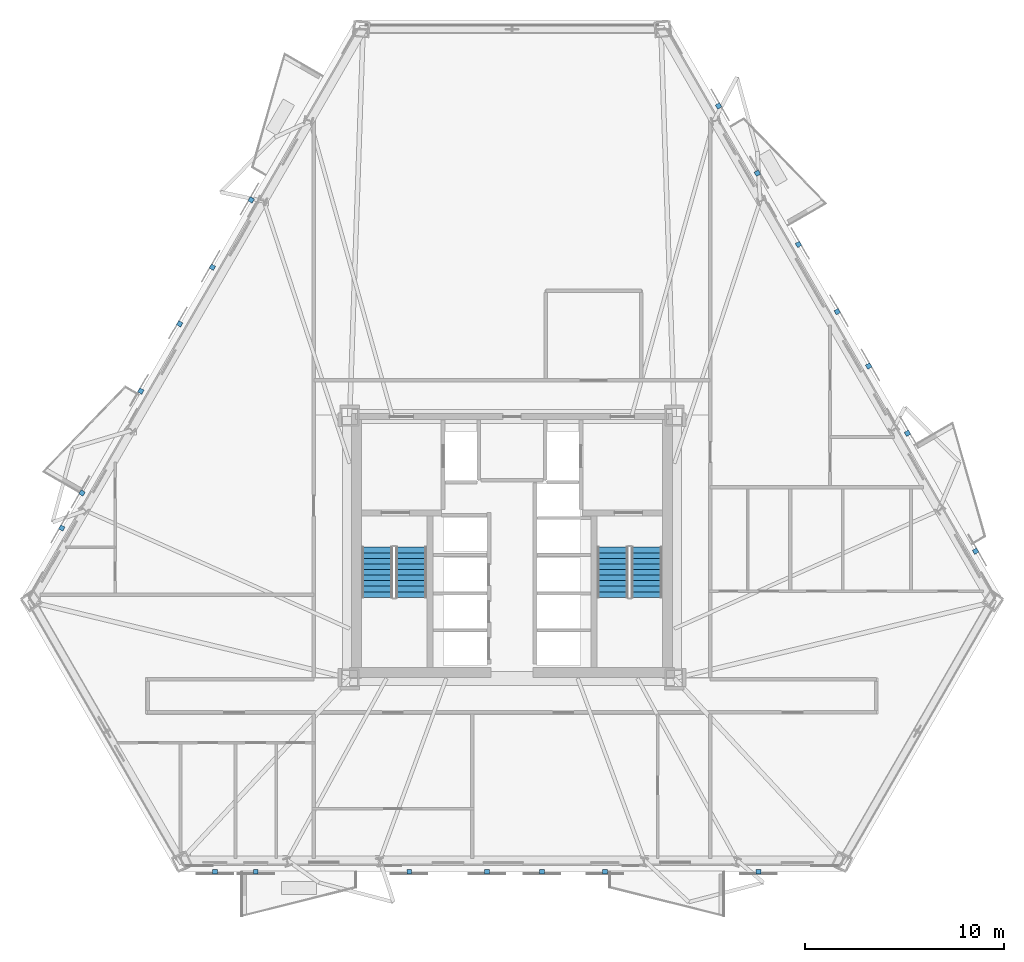
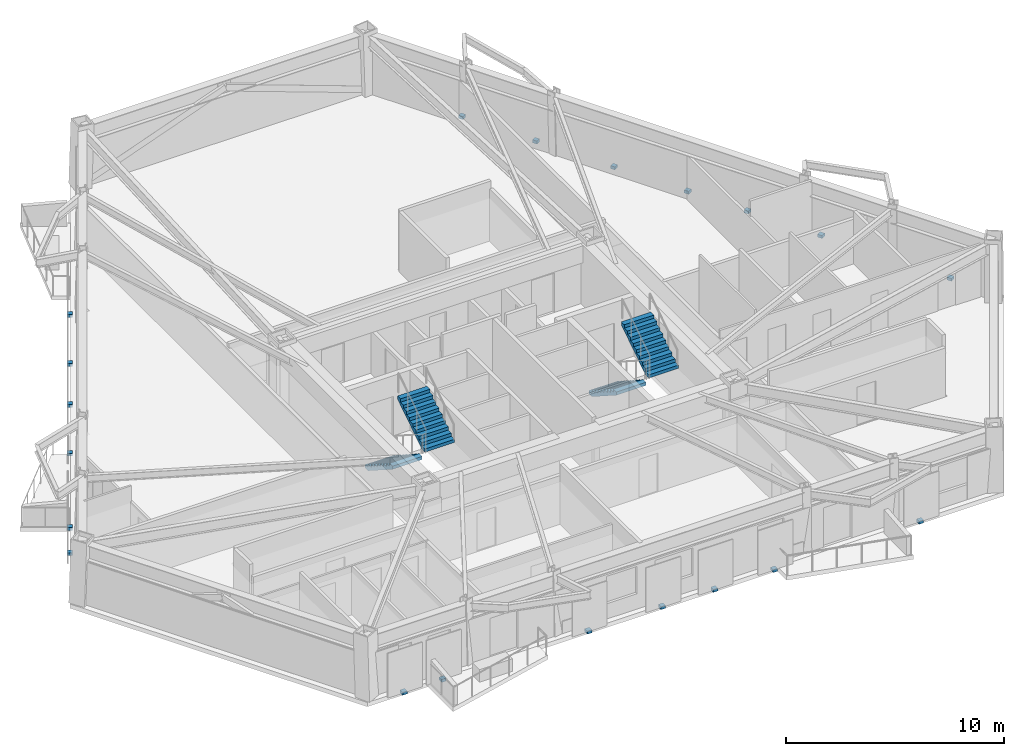
# One storey, part 6 of 13: 20 discrete accessories, 4 stair flights, 2 elements without a shape of their own.
"""IFC4 building model written with IfcOpenShell, lengths in metres."""

import ifcopenshell
import ifcopenshell.guid

model = None  # the IFC model being written
_history = None  # IfcOwnerHistory: only IFC2X3 demands one
_inside = {}  # id of a spatial element -> (the spatial element, [elements in it])
_under = {}  # id of a project, library or spatial element -> (it, [spatial elements below it])
_declared = {}  # id of a project -> (the project, [libraries it declares])
_typed = {}  # id of a type object -> (the type object, [elements of that type])
_made_of = {}  # id of a material, layer set ... -> (it, [elements and type objects made of it])


def new_model(schema):
    """Start an empty IFC model of exactly this schema.

    Asked for "IFC4X3", IfcOpenShell would pick the latest addendum, in which some entities
    have other attributes; the version numbers below select the first issue.
    IFC2X3 requires an IfcOwnerHistory on every rooted entity: one is made here for all.
    """
    global model, _history
    if schema == "IFC4X3":
        model = ifcopenshell.file(schema_version=(4, 3, 0, 0))
    else:
        model = ifcopenshell.file(schema=schema)
    _inside.clear()
    _under.clear()
    _declared.clear()
    _typed.clear()
    _made_of.clear()
    _history = None
    if model.schema == "IFC2X3":
        org = make("IfcOrganization", Name="unknown")
        user = make(
            "IfcPersonAndOrganization",
            ThePerson=make("IfcPerson", FamilyName="unknown"),
            TheOrganization=org,
        )
        app = make(
            "IfcApplication",
            ApplicationDeveloper=org,
            Version="unknown",
            ApplicationFullName="unknown",
            ApplicationIdentifier="unknown",
        )
        _history = make(
            "IfcOwnerHistory",
            OwningUser=user,
            OwningApplication=app,
            ChangeAction="ADDED",
            CreationDate=0,
        )
    return model


def make(cls, **values):
    """One entity of the class cls with the attributes given. An attribute that is None is left unset."""
    return model.create_entity(
        cls, **{name: value for name, value in values.items() if value is not None}
    )


def rooted(cls, **values):
    """An entity with a GlobalId (a new one), such as an element, a storey or a relation."""
    return make(cls, GlobalId=ifcopenshell.guid.new(), OwnerHistory=_history, **values)


def si_unit(unit_type, name, prefix=None):
    """IfcSIUnit, for example si_unit("LENGTHUNIT", "METRE", prefix="MILLI")."""
    return make("IfcSIUnit", UnitType=unit_type, Prefix=prefix, Name=name)


def assignment(units):
    """IfcUnitAssignment: the units of a project."""
    return None if units is None else make("IfcUnitAssignment", Units=units)


def point(xyz):
    """IfcCartesianPoint."""
    return None if xyz is None else make("IfcCartesianPoint", Coordinates=xyz)


def direction(xyz):
    """IfcDirection."""
    return None if xyz is None else make("IfcDirection", DirectionRatios=xyz)


def frame(location, z_axis=None, x_axis=None):
    """IfcAxis2Placement3D, a coordinate frame: its origin and axes. An axis left out is left unset."""
    return make(
        "IfcAxis2Placement3D",
        Location=point(location),
        Axis=direction(z_axis),
        RefDirection=direction(x_axis),
    )


def frame_2d(location, x_axis=None):
    """IfcAxis2Placement2D, a coordinate frame in the plane: its origin and x axis."""
    return make(
        "IfcAxis2Placement2D", Location=point(location), RefDirection=direction(x_axis)
    )


def origin():
    """The frame at (0, 0, 0) with its axes left unset."""
    return frame((0.0, 0.0, 0.0))


def origin_2d():
    """The frame at (0, 0) in the plane with its x axis left unset."""
    return frame_2d((0.0, 0.0))


def place(relative_to, where):
    """IfcLocalPlacement: puts the frame where relative to a parent placement (None: the world)."""
    return make(
        "IfcLocalPlacement", PlacementRelTo=relative_to, RelativePlacement=where
    )


def context(
    kind, dimensions, precision=None, world=None, true_north=None, identifier=None
):
    """IfcGeometricRepresentationContext, for example the 3D "Model" context."""
    return make(
        "IfcGeometricRepresentationContext",
        ContextIdentifier=identifier,
        ContextType=kind,
        CoordinateSpaceDimension=dimensions,
        Precision=precision,
        WorldCoordinateSystem=world,
        TrueNorth=true_north,
    )


def subcontext(parent, identifier, kind, view, scale=None):
    """IfcGeometricRepresentationSubContext, for example "Body" below "Model"."""
    return make(
        "IfcGeometricRepresentationSubContext",
        ContextIdentifier=identifier,
        ContextType=kind,
        ParentContext=parent,
        TargetScale=scale,
        TargetView=view,
    )


def project(units=None, contexts=None):
    """IfcProject with its units and contexts."""
    return rooted(
        "IfcProject",
        Name="project",
        RepresentationContexts=contexts,
        UnitsInContext=assignment(units),
    )


def spatial(cls, under=None, at=None, **own):
    """A site, building, storey or space (cls), placed at a placement, below another one or the project."""
    s = rooted(cls, ObjectPlacement=at, **own)
    if under is not None:
        _under.setdefault(under.id(), (under, []))[1].append(s)
    return s


def polyline(points):
    """IfcPolyline through the points."""
    return make("IfcPolyline", Points=[point(p) for p in points])


def profile(cls, at=None, kind="AREA", **sizes):
    """A parametric profile (cls). Its sizes go by their IFC names, for example OverallWidth=200.0."""
    return make(cls, ProfileType=kind, Position=at, **sizes)


def rectangle(**sizes):
    """IfcRectangleProfileDef."""
    return profile("IfcRectangleProfileDef", **sizes)


def outline(outer, holes=None, kind="AREA"):
    """IfcArbitraryClosedProfileDef: a profile drawn as a closed curve; with holes, ...WithVoids."""
    if holes is None:
        return make("IfcArbitraryClosedProfileDef", ProfileType=kind, OuterCurve=outer)
    return make(
        "IfcArbitraryProfileDefWithVoids",
        ProfileType=kind,
        OuterCurve=outer,
        InnerCurves=holes,
    )


def extrude(swept, where, along, depth):
    """IfcExtrudedAreaSolid: the profile swept, set in the frame where, extruded along a direction by depth."""
    return make(
        "IfcExtrudedAreaSolid",
        SweptArea=swept,
        Position=where,
        ExtrudedDirection=direction(along),
        Depth=depth,
    )


def shape(context_of_items, identifier, shape_type, items):
    """IfcShapeRepresentation: the items that make up one representation, for example the "Body"."""
    return make(
        "IfcShapeRepresentation",
        ContextOfItems=context_of_items,
        RepresentationIdentifier=identifier,
        RepresentationType=shape_type,
        Items=items,
    )


def material(Name=None, Category=None):
    """IfcMaterial."""
    return make("IfcMaterial", Name=Name, Category=Category)


def made_of(thing, what):
    """Note that an element or type object is made of a material, layer set ...; save() writes the relation."""
    if what is not None:
        _made_of.setdefault(what.id(), (what, []))[1].append(thing)
    return thing


def type_object(cls, material=None, **own):
    """A type object (cls), such as IfcWallType, which elements share."""
    return made_of(rooted(cls, **own), material)


def element(
    cls,
    number,
    at=None,
    inside=None,
    cuts=None,
    type_object=None,
    material=None,
    context=None,
    identifier="Body",
    shape_type=None,
    held_by="IfcProductDefinitionShape",
    body=None,
    shapes=None,
    **own,
):
    """One element of the class cls, such as IfcWall. Its Tag is "e" and its number.

    at: its placement. inside: the storey or other place that contains it. cuts: it is an
    opening in that element (IfcRelVoidsElement). A single representation is given by context,
    identifier, shape_type and body (its items); several are given by shapes. held_by: the class
    of the entity that holds the representations. save() writes the other relations.
    """
    e = rooted(cls, Tag="e%d" % number, ObjectPlacement=at, **own)
    if body is not None:
        shapes = [shape(context, identifier, shape_type, body)]
    if shapes is not None:
        e.Representation = make(held_by, Representations=shapes)
    if inside is not None:
        _inside.setdefault(inside.id(), (inside, []))[1].append(e)
    if cuts is not None:
        rooted(
            "IfcRelVoidsElement", RelatingBuildingElement=cuts, RelatedOpeningElement=e
        )
    if type_object is not None:
        _typed.setdefault(type_object.id(), (type_object, []))[1].append(e)
    return made_of(e, material)


def aggregate(whole, parts):
    """IfcRelAggregates: a whole, such as a stair, and the parts it consists of."""
    return rooted("IfcRelAggregates", RelatingObject=whole, RelatedObjects=parts)


def save(model, path):
    """Write the relations noted so far, then the file.

    IfcRelAggregates (storeys below a building ...), IfcRelContainedInSpatialStructure (elements
    in a storey), IfcRelDefinesByType, IfcRelAssociatesMaterial and IfcRelDeclares: one each for
    every whole, place, type object, material and project.
    """
    for whole, parts in _under.values():
        aggregate(whole, parts)
    for where, things in _inside.values():
        rooted(
            "IfcRelContainedInSpatialStructure",
            RelatedElements=things,
            RelatingStructure=where,
        )
    for kind, things in _typed.values():
        rooted("IfcRelDefinesByType", RelatedObjects=things, RelatingType=kind)
    for what, things in _made_of.values():
        rooted("IfcRelAssociatesMaterial", RelatedObjects=things, RelatingMaterial=what)
    for by, libraries in _declared.values():
        rooted("IfcRelDeclares", RelatingContext=by, RelatedDefinitions=libraries)
    model.write(path)


model = new_model("IFC4")

# Units and contexts
model_context = context("Model", 3, precision=1e-05, world=origin(), true_north=direction((0.0, 1.0)))
body_context = subcontext(model_context, "Body", "Model", "MODEL_VIEW")
ifc_project = project(units=[si_unit("LENGTHUNIT", "METRE"), si_unit("AREAUNIT", "SQUARE_METRE"), si_unit("VOLUMEUNIT", "CUBIC_METRE"), si_unit("PLANEANGLEUNIT", "RADIAN"), si_unit("MASSUNIT", "GRAM", prefix="KILO")], contexts=[model_context])

# Site, building, storey
site_placement = place(None, origin())
site = spatial("IfcSite", under=ifc_project, at=site_placement, CompositionType="ELEMENT")
building_placement = place(site_placement, origin())
building = spatial("IfcBuilding", under=site, at=building_placement, Name="Oramaril Tower", CompositionType="ELEMENT")
storey_placement = place(building_placement, frame((0.0, 0.0, 41.699951171875)))
storey = spatial("IfcBuildingStorey", under=building, at=storey_placement, Name="L10", CompositionType="ELEMENT", Elevation=41.699951171875)

# Stair, stair flights
ifc_material_1 = material(Name="Concrete C50/60", Category="concrete")
stair_type = type_object("IfcStairType", Name="STT-DG-3600", PredefinedType="HALF_TURN_STAIR", material=ifc_material_1)
stair_1_placement = place(storey_placement, origin())
stair_1 = element("IfcStair", 1, at=stair_1_placement, inside=storey, type_object=stair_type, Name="L10 Protected PFP Exit Stair ST-1", PredefinedType="HALF_TURN_STAIR")
ifc_material_2 = material(Name="Concrete C50/60", Category="concrete")
stair_flight_type = type_object("IfcStairFlightType", Name="SFT-DG-3600", PredefinedType="STRAIGHT", material=ifc_material_2)
stair_flight_1_placement = place(storey_placement, frame((30.72998046875, 17.590087890625, 0.0), z_axis=(0.0, 0.0, 1.0), x_axis=(0.0, -1.0, 0.0)))
stair_flight_1 = element("IfcStairFlight", 2, at=stair_flight_1_placement, type_object=stair_flight_type, Name="ST-1 flight 1", NumberOfRisers=10, NumberOfTreads=9, PredefinedType="STRAIGHT", RiserHeight=0.18, TreadLength=0.28, context=body_context, shape_type="SweptSolid", body=[
    extrude(outline(polyline([(0.0, 0.0), (0.0, 0.179931640625), (0.280029296875, 0.179931640625), (0.280029296875, 0.360107421875), (0.56005859375, 0.360107421875), (0.56005859375, 0.5400390625), (0.840087890625, 0.5400390625), (0.840087890625, 0.719970703125), (1.1201171875, 0.719970703125), (1.1201171875, 0.89990234375), (1.39990234375, 0.89990234375), (1.39990234375, 1.080078125), (1.679931640625, 1.080078125), (1.679931640625, 1.260009765625), (1.9599609375, 1.260009765625), (1.9599609375, 1.43994140625), (2.239990234375, 1.43994140625), (2.239990234375, 1.6201171875), (2.52001953125, 1.6201171875), (2.52001953125, 1.800048828125), (2.52001953125, 1.44189453125), (0.277099609375, 0.0), (0.0, 0.0)])), frame((0.0, 0.780029296875, 0.0), z_axis=(0.0, -1.0, 0.0), x_axis=(1.0, 0.0, 0.0)), (0.0, 0.0, 1.0), 1.56005859375),
])
stair_flight_2_placement = place(storey_placement, frame((32.43994140625, 15.070068359375, 1.800048828125), z_axis=(0.0, 0.0, 1.0), x_axis=(0.0, 1.0, 0.0)))
stair_flight_2 = element("IfcStairFlight", 3, at=stair_flight_2_placement, type_object=stair_flight_type, Name="ST-1 flight 2", NumberOfRisers=10, NumberOfTreads=9, PredefinedType="STRAIGHT", RiserHeight=0.18, TreadLength=0.28, context=body_context, shape_type="SweptSolid", body=[
    extrude(outline(polyline([(0.0, 0.0), (0.0, 0.179931640625), (0.280029296875, 0.179931640625), (0.280029296875, 0.360107421875), (0.56005859375, 0.360107421875), (0.56005859375, 0.5400390625), (0.840087890625, 0.5400390625), (0.840087890625, 0.719970703125), (1.1201171875, 0.719970703125), (1.1201171875, 0.89990234375), (1.39990234375, 0.89990234375), (1.39990234375, 1.080078125), (1.679931640625, 1.080078125), (1.679931640625, 1.260009765625), (1.9599609375, 1.260009765625), (1.9599609375, 1.43994140625), (2.239990234375, 1.43994140625), (2.239990234375, 1.6201171875), (2.52001953125, 1.6201171875), (2.52001953125, 1.800048828125), (2.52001953125, 1.44189453125), (0.277099609375, 0.0), (0.0, 0.0)])), frame((0.0, 0.780029296875, 0.0), z_axis=(0.0, -1.0, 0.0), x_axis=(1.0, 0.0, 0.0)), (0.0, 0.0, 1.0), 1.56005859375),
])
aggregate(stair_1, [stair_flight_1, stair_flight_2])

stair_2_placement = place(storey_placement, origin())
stair_2 = element("IfcStair", 4, at=stair_2_placement, inside=storey, type_object=stair_type, Name="L10 Protected PFP Exit Stair ST-2", PredefinedType="HALF_TURN_STAIR")
stair_flight_3_placement = place(storey_placement, frame((42.56005859375, 17.590087890625, 0.0), z_axis=(0.0, 0.0, 1.0), x_axis=(0.0, -1.0, 0.0)))
stair_flight_3 = element("IfcStairFlight", 5, at=stair_flight_3_placement, type_object=stair_flight_type, Name="ST-2 flight 1", NumberOfRisers=10, NumberOfTreads=9, PredefinedType="STRAIGHT", RiserHeight=0.18, TreadLength=0.28, context=body_context, shape_type="SweptSolid", body=[
    extrude(outline(polyline([(0.0, 0.0), (0.0, 0.179931640625), (0.280029296875, 0.179931640625), (0.280029296875, 0.360107421875), (0.56005859375, 0.360107421875), (0.56005859375, 0.5400390625), (0.840087890625, 0.5400390625), (0.840087890625, 0.719970703125), (1.1201171875, 0.719970703125), (1.1201171875, 0.89990234375), (1.39990234375, 0.89990234375), (1.39990234375, 1.080078125), (1.679931640625, 1.080078125), (1.679931640625, 1.260009765625), (1.9599609375, 1.260009765625), (1.9599609375, 1.43994140625), (2.239990234375, 1.43994140625), (2.239990234375, 1.6201171875), (2.52001953125, 1.6201171875), (2.52001953125, 1.800048828125), (2.52001953125, 1.44189453125), (0.277099609375, 0.0), (0.0, 0.0)])), frame((0.0, 0.780029296875, 0.0), z_axis=(0.0, -1.0, 0.0), x_axis=(1.0, 0.0, 0.0)), (0.0, 0.0, 1.0), 1.56005859375),
])
stair_flight_4_placement = place(storey_placement, frame((44.27001953125, 15.070068359375, 1.800048828125), z_axis=(0.0, 0.0, 1.0), x_axis=(0.0, 1.0, 0.0)))
stair_flight_4 = element("IfcStairFlight", 6, at=stair_flight_4_placement, type_object=stair_flight_type, Name="ST-2 flight 2", NumberOfRisers=10, NumberOfTreads=9, PredefinedType="STRAIGHT", RiserHeight=0.18, TreadLength=0.28, context=body_context, shape_type="SweptSolid", body=[
    extrude(outline(polyline([(0.0, 0.0), (0.0, 0.179931640625), (0.280029296875, 0.179931640625), (0.280029296875, 0.360107421875), (0.56005859375, 0.360107421875), (0.56005859375, 0.5400390625), (0.840087890625, 0.5400390625), (0.840087890625, 0.719970703125), (1.1201171875, 0.719970703125), (1.1201171875, 0.89990234375), (1.39990234375, 0.89990234375), (1.39990234375, 1.080078125), (1.679931640625, 1.080078125), (1.679931640625, 1.260009765625), (1.9599609375, 1.260009765625), (1.9599609375, 1.43994140625), (2.239990234375, 1.43994140625), (2.239990234375, 1.6201171875), (2.52001953125, 1.6201171875), (2.52001953125, 1.800048828125), (2.52001953125, 1.44189453125), (0.277099609375, 0.0), (0.0, 0.0)])), frame((0.0, 0.780029296875, 0.0), z_axis=(0.0, -1.0, 0.0), x_axis=(1.0, 0.0, 0.0)), (0.0, 0.0, 1.0), 1.56005859375),
])
aggregate(stair_2, [stair_flight_3, stair_flight_4])

# Discrete accessories
for number, where, z_axis, x_axis, name in (
    (7, (32.338623046875, 1.29638671875, -0.14013671875), (0.0, 0.0, 1.0), (1.0, 0.0, 0.0), "L10 Solar Screen Slab Bracket"),
    (8, (36.238525390625, 1.29638671875, -0.14013671875), (0.0, 0.0, 1.0), (1.0, 0.0, 0.0), "L10 Solar Screen Slab Bracket"),
    (9, (39.004150390625, 1.29638671875, -0.14013671875), (0.0, 0.0, 1.0), (1.0, 0.0, 0.0), "L10 Solar Screen Slab Bracket"),
    (10, (42.163818359375, 1.29638671875, -0.14013671875), (0.0, 0.0, 1.0), (1.0, 0.0, 0.0), "L10 Solar Screen Slab Bracket"),
    (11, (22.58349609375, 1.29638671875, -0.14013671875), (0.0, 0.0, 1.0), (1.0, 0.0, 0.0), "L10 Solar Screen Slab Bracket"),
    (12, (24.635009765625, 1.29638671875, -0.14013671875), (0.0, 0.0, 1.0), (1.0, 0.0, 0.0), "L10 Solar Screen Slab Bracket"),
    (13, (49.88134765625, 1.29638671875, -0.14013671875), (0.0, 0.0, 1.0), (1.0, 0.0, 0.0), "L10 Solar Screen Slab Bracket"),
    (14, (60.777099609375, 17.39013671875, -0.14013671875), (0.0, 0.0, 1.0), (-0.5, 0.866025403784, 0.0), "L10 Solar Screen Slab Bracket"),
    (15, (53.83349609375, 29.416748046875, -0.14013671875), (0.0, 0.0, 1.0), (-0.5, 0.866025403784, 0.0), "L10 Solar Screen Slab Bracket"),
    (16, (51.883544921875, 32.794189453125, -0.14013671875), (0.0, 0.0, 1.0), (-0.5, 0.866025403784, 0.0), "L10 Solar Screen Slab Bracket"),
    (17, (49.819091796875, 36.369873046875, -0.14013671875), (0.0, 0.0, 1.0), (-0.5, 0.866025403784, 0.0), "L10 Solar Screen Slab Bracket"),
    (18, (47.869140625, 39.747314453125, -0.14013671875), (0.0, 0.0, 1.0), (-0.5, 0.866025403784, 0.0), "L10 Solar Screen Slab Bracket"),
    (19, (57.360107421875, 23.30859375, -0.14013671875), (0.0, 0.0, 1.0), (-0.5, 0.866025403784, 0.0), "L10 Solar Screen Slab Bracket"),
    (20, (55.41015625, 26.686279296875, -0.14013671875), (0.0, 0.0, 1.0), (-0.5, 0.866025403784, 0.0), "L10 Solar Screen Slab Bracket"),
    (21, (24.404541015625, 35.025390625, -0.14013671875), (0.0, 0.0, 1.0), (-0.5, -0.866025403784, 0.0), "L10 Solar Screen Slab Bracket"),
    (22, (22.45458984375, 31.647705078125, -0.14013671875), (0.0, 0.0, 1.0), (-0.5, -0.866025403784, 0.0), "L10 Solar Screen Slab Bracket"),
    (23, (20.813720703125, 28.805908203125, -0.14013671875), (0.0, 0.0, 1.0), (-0.5, -0.866025403784, 0.0), "L10 Solar Screen Slab Bracket"),
    (24, (18.86376953125, 25.428466796875, -0.14013671875), (0.0, 0.0, 1.0), (-0.5, -0.866025403784, 0.0), "L10 Solar Screen Slab Bracket"),
    (25, (14.894775390625, 18.553955078125, -0.14013671875), (0.0, 0.0, 1.0), (-0.5, -0.866025403784, 0.0), "L10 Solar Screen Slab Bracket"),
    (26, (15.908447265625, 20.3095703125, -0.14013671875), (0.0, 0.0, 1.0), (-0.5, -0.866025403784, 0.0), "L10 Solar Screen Slab Bracket"),
):
    element("IfcDiscreteAccessory", number, at=place(storey_placement, frame(where, z_axis=z_axis, x_axis=x_axis)), inside=storey, Name=name, PredefinedType="BRACKET", context=body_context, shape_type="SweptSolid", body=[
        extrude(rectangle(XDim=0.239990234375, YDim=0.239990234375, at=origin_2d()), origin(), (0.0, 0.0, 1.0), 0.159912109375),
    ])

save(model, "model.ifc")
